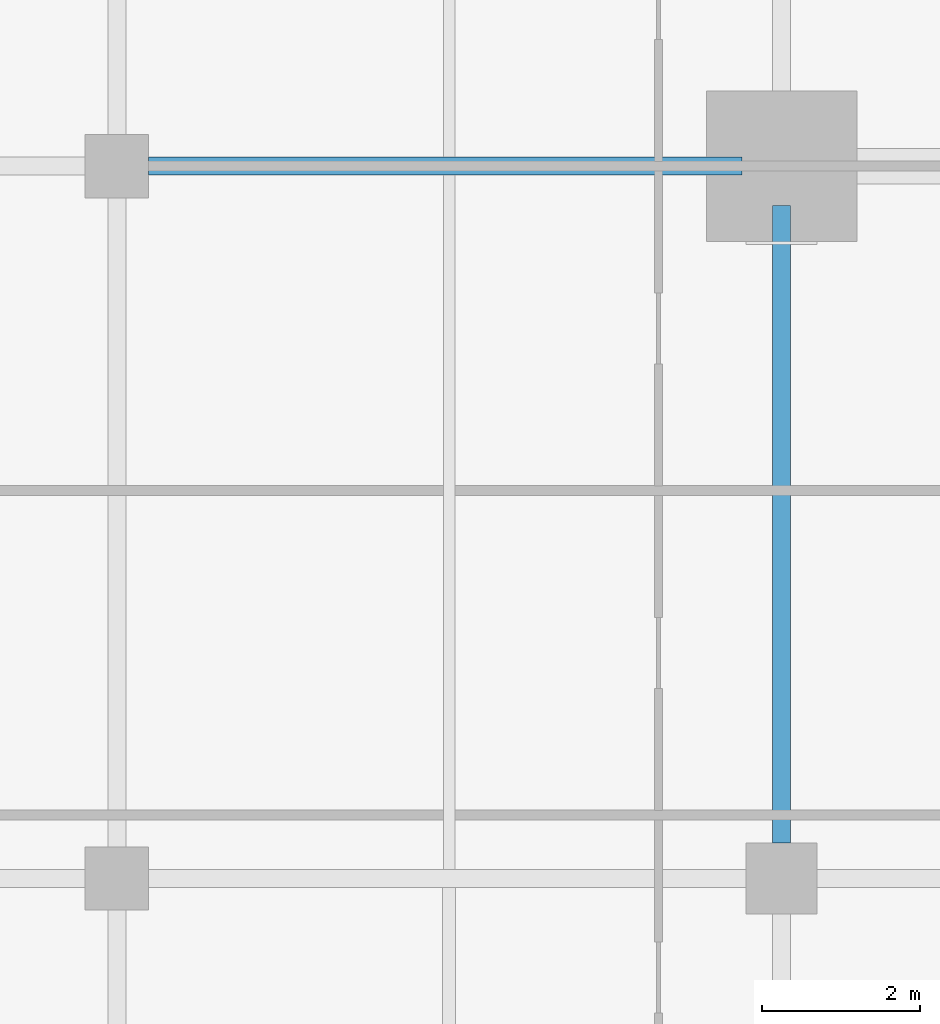
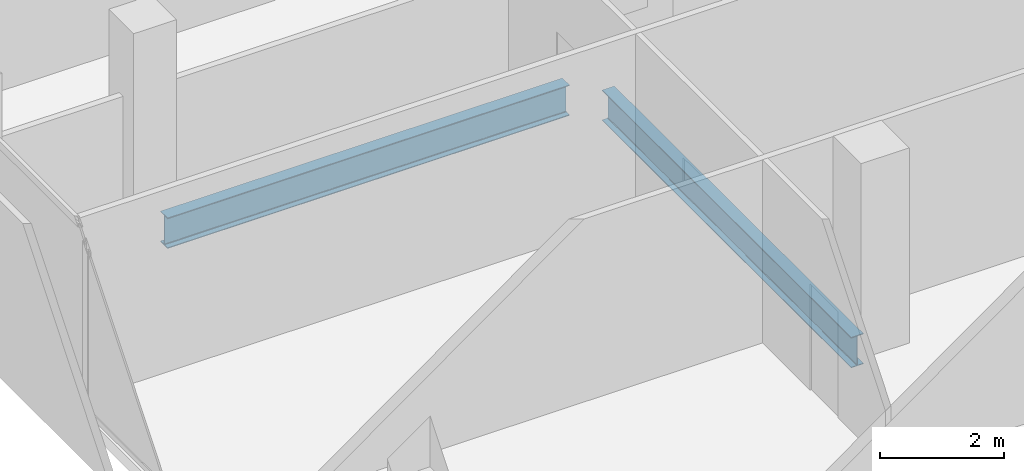
# One storey, part 9 of 34: 2 beams.
"""IFC4 building model written with IfcOpenShell, lengths in metres."""

from ifc_helpers import new_model, si_unit, direction, frame, origin, origin_2d, place, context, subcontext, project, spatial, i_section, extrude, material, material_profile, profile_set, type_object, element, save


model = new_model("IFC4")

# Units and contexts
model_context = context("Model", 3, precision=1e-05, world=origin(), true_north=direction((0.0, 1.0)))
body_context = subcontext(model_context, "Body", "Model", "MODEL_VIEW")
ifc_project = project(units=[si_unit("LENGTHUNIT", "METRE"), si_unit("AREAUNIT", "SQUARE_METRE"), si_unit("VOLUMEUNIT", "CUBIC_METRE"), si_unit("PLANEANGLEUNIT", "RADIAN"), si_unit("MASSUNIT", "GRAM", prefix="KILO")], contexts=[model_context])

# Site, building, storey
site_placement = place(None, origin())
site = spatial("IfcSite", under=ifc_project, at=site_placement, CompositionType="ELEMENT")
building_placement = place(site_placement, origin())
building = spatial("IfcBuilding", under=site, at=building_placement, Name="Maruvema Waterfront Hotel and Observation Tower", CompositionType="ELEMENT")
storey_placement = place(building_placement, frame((0.0, 0.0, 181.300048828125)))
storey = spatial("IfcBuildingStorey", under=building, at=storey_placement, Name="L44", CompositionType="ELEMENT", Elevation=181.300048828125)

# Beams
ifc_material = material(Name="Steel ASTM A572 Grade 50", Category="steel")
ifc_material_profile = material_profile(ifc_material, i_section(OverallWidth=0.22802734375, OverallDepth=0.60302734375, WebThickness=0.010498046875, FlangeThickness=0.014892578125, FilletRadius=0.01806640625, at=origin_2d()), Name="W610x101.0")
ifc_profile_set = profile_set([ifc_material_profile], Name="Steel ASTM A572 Grade 50")
beam_type = type_object("IfcBeamType", Name="Primary Floor Girder W610x101.0", PredefinedType="BEAM", material=ifc_profile_set)
beam_1_placement = place(storey_placement, frame((17.199951171875, 27.0, -0.54150390625), z_axis=(1.0, 0.0, 0.0), x_axis=(0.0, 1.0, 0.0)))
element("IfcBeam", 1, at=beam_1_placement, inside=storey, type_object=beam_type, Name="L44 Floor Girder EW-19", PredefinedType="BEAM", context=body_context, shape_type="SweptSolid", body=[
    extrude(i_section(OverallWidth=0.22802734375, OverallDepth=0.60302734375, WebThickness=0.010498046875, FlangeThickness=0.014892578125, FilletRadius=0.01806640625, at=origin_2d()), origin(), (0.0, 0.0, 1.0), 7.5),
])
beam_2_placement = place(storey_placement, frame((25.199951171875, 18.449951171875, -0.54150390625), z_axis=(0.0, 1.0, 0.0), x_axis=(-1.0, 0.0, 0.0)))
element("IfcBeam", 2, at=beam_2_placement, inside=storey, type_object=beam_type, Name="L44 Floor Girder NS-11", PredefinedType="BEAM", context=body_context, shape_type="SweptSolid", body=[
    extrude(i_section(OverallWidth=0.22802734375, OverallDepth=0.60302734375, WebThickness=0.010498046875, FlangeThickness=0.014892578125, FilletRadius=0.01806640625, at=origin_2d()), origin(), (0.0, 0.0, 1.0), 8.050048828125),
])

save(model, "model.ifc")
